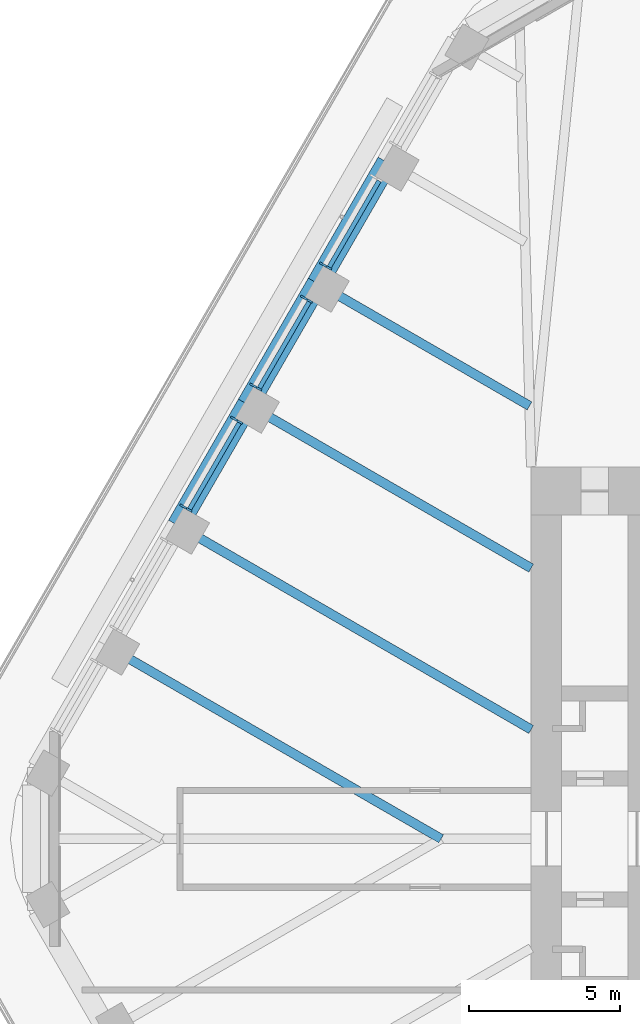
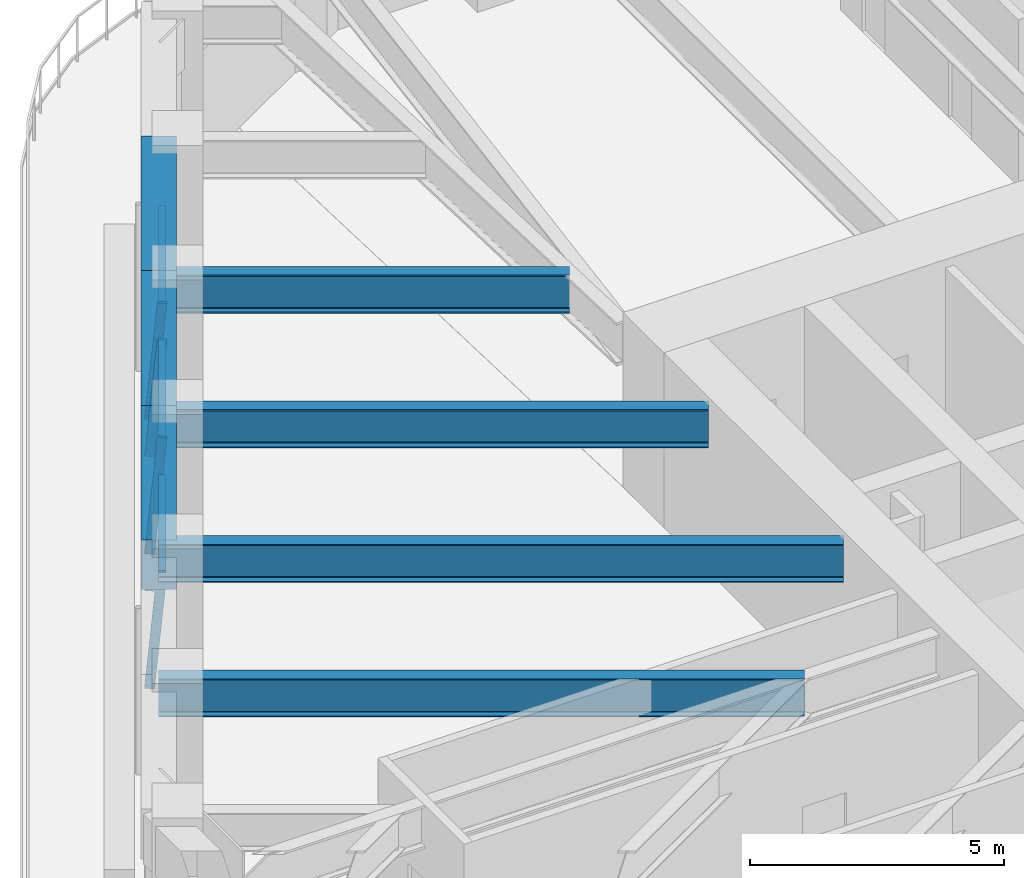
# One storey, part 7 of 20: 8 members, 7 beams, 3 elements without a shape of their own.
"""IFC4 building model written with IfcOpenShell, lengths in metres."""

from ifc_helpers import new_model, si_unit, direction, frame, origin, origin_2d, place, context, subcontext, project, spatial, rectangle, i_section, extrude, material, material_profile, profile_set, type_object, element, aggregate, save


model = new_model("IFC4")

# Units and contexts
model_context = context("Model", 3, precision=1e-05, world=origin(), true_north=direction((0.0, 1.0)))
body_context = subcontext(model_context, "Body", "Model", "MODEL_VIEW")
ifc_project = project(units=[si_unit("LENGTHUNIT", "METRE"), si_unit("AREAUNIT", "SQUARE_METRE"), si_unit("VOLUMEUNIT", "CUBIC_METRE"), si_unit("PLANEANGLEUNIT", "RADIAN"), si_unit("MASSUNIT", "GRAM", prefix="KILO")], contexts=[model_context])

# Site, building, storey
site_placement = place(None, origin())
site = spatial("IfcSite", under=ifc_project, at=site_placement, CompositionType="ELEMENT")
building_placement = place(site_placement, origin())
building = spatial("IfcBuilding", under=site, at=building_placement, Name="Tarfa Lantern Tower", CompositionType="ELEMENT")
storey_placement = place(building_placement, frame((0.0, 0.0, 261.699951171875)))
storey = spatial("IfcBuildingStorey", under=building, at=storey_placement, Name="L59", CompositionType="ELEMENT", Elevation=261.699951171875)

# Curtain wall, member
ifc_material_1 = material(Name="Aluminium framed curtain wall", Category="aluminium")
curtain_wall_type = type_object("IfcCurtainWallType", Name="CW3 CANTED GLAZING HIGH ZONE 2800", PredefinedType="USERDEFINED", material=ifc_material_1)
curtain_wall_1_placement = place(storey_placement, origin())
curtain_wall_1 = element("IfcCurtainWall", 1, at=curtain_wall_1_placement, inside=storey, type_object=curtain_wall_type, Name="CW3 NW L59", ObjectType="CURTAIN WALL", PredefinedType="USERDEFINED")
ifc_material_2 = material(Name="Aluminium mullion", Category="aluminium")
ifc_material_profile_1 = material_profile(ifc_material_2, rectangle(XDim=0.06494140625, YDim=0.199951171875, at=origin_2d()), Name="AL MULLION 65x200")
ifc_profile_set_1 = profile_set([ifc_material_profile_1], Name="Aluminium mullion")
member_type_1 = type_object("IfcMemberType", Name="CWM1 MULLION 65x200", PredefinedType="MULLION", material=ifc_profile_set_1)
member_1_placement = place(storey_placement, frame((-22.402587890625, 18.997802734375, 0.0), z_axis=(0.077032386753, -0.044465143199, 0.996036576854), x_axis=(0.499919672301, 0.866071776036, 0.0)))
member_1 = element("IfcMember", 2, at=member_1_placement, type_object=member_type_1, Name="CW3 mullion 2", PredefinedType="MULLION", context=body_context, shape_type="SweptSolid", body=[
    extrude(rectangle(XDim=0.06494140625, YDim=0.199951171875, at=origin_2d()), origin(), (0.0, 0.0, 1.0), 2.811279296875),
])

# Curtain wall, members
curtain_wall_2_placement = place(storey_placement, origin())
curtain_wall_2 = element("IfcCurtainWall", 3, at=curtain_wall_2_placement, inside=storey, type_object=curtain_wall_type, Name="CW3 NW L59", ObjectType="CURTAIN WALL", PredefinedType="USERDEFINED")
member_2_placement = place(storey_placement, frame((-23.034912109375, 17.90234375, 0.0), z_axis=(0.077032386753, -0.044465143199, 0.996036576854), x_axis=(0.499919672301, 0.866071776036, 0.0)))
member_2 = element("IfcMember", 4, at=member_2_placement, type_object=member_type_1, Name="CW3 mullion 1", PredefinedType="MULLION", context=body_context, shape_type="SweptSolid", body=[
    extrude(rectangle(XDim=0.06494140625, YDim=0.199951171875, at=origin_2d()), origin(), (0.0, 0.0, 1.0), 2.811279296875),
])
member_3_placement = place(storey_placement, frame((-24.7119140625, 14.997802734375, 0.0), z_axis=(0.077032386753, -0.044465143199, 0.996036576854), x_axis=(0.499919672301, 0.866071776036, 0.0)))
member_3 = element("IfcMember", 5, at=member_3_placement, type_object=member_type_1, Name="CW3 mullion 2", PredefinedType="MULLION", context=body_context, shape_type="SweptSolid", body=[
    extrude(rectangle(XDim=0.06494140625, YDim=0.199951171875, at=origin_2d()), origin(), (0.0, 0.0, 1.0), 2.811279296875),
])

curtain_wall_3_placement = place(storey_placement, origin())
curtain_wall_3 = element("IfcCurtainWall", 6, at=curtain_wall_3_placement, inside=storey, type_object=curtain_wall_type, Name="CW3 NW L59", ObjectType="CURTAIN WALL", PredefinedType="USERDEFINED")
member_4_placement = place(storey_placement, frame((-25.344482421875, 13.90234375, 0.0), z_axis=(0.077032386753, -0.044465143199, 0.996036576854), x_axis=(0.499919672301, 0.866071776036, 0.0)))
member_4 = element("IfcMember", 7, at=member_4_placement, type_object=member_type_1, Name="CW3 mullion 1", PredefinedType="MULLION", context=body_context, shape_type="SweptSolid", body=[
    extrude(rectangle(XDim=0.06494140625, YDim=0.199951171875, at=origin_2d()), origin(), (0.0, 0.0, 1.0), 2.811279296875),
])
member_5_placement = place(storey_placement, frame((-27.021240234375, 10.997802734375, 0.0), z_axis=(0.077032386753, -0.044465143199, 0.996036576854), x_axis=(0.499919672301, 0.866071776036, 0.0)))
member_5 = element("IfcMember", 8, at=member_5_placement, type_object=member_type_1, Name="CW3 mullion 2", PredefinedType="MULLION", context=body_context, shape_type="SweptSolid", body=[
    extrude(rectangle(XDim=0.06494140625, YDim=0.199951171875, at=origin_2d()), origin(), (0.0, 0.0, 1.0), 2.811279296875),
])

# Member
ifc_material_3 = material(Name="Aluminium transom", Category="aluminium")
ifc_material_profile_2 = material_profile(ifc_material_3, rectangle(XDim=0.14990234375, YDim=0.06494140625, at=origin_2d()), Name="AL TRANSOM 150x65")
ifc_profile_set_2 = profile_set([ifc_material_profile_2], Name="Aluminium transom")
member_type_2 = type_object("IfcMemberType", Name="CWT1 TRANSOM 150x65", PredefinedType="USERDEFINED", material=ifc_profile_set_2)
member_6_placement = place(storey_placement, frame((-20.52783203125, 21.75048828125, 2.767578125), z_axis=(-0.499979497339, -0.866037240677, 0.0), x_axis=(0.866037240677, -0.499979497339, 0.0)))
member_6 = element("IfcMember", 9, at=member_6_placement, type_object=member_type_2, Name="CW3 transom 1.2", ObjectType="TRANSOM", PredefinedType="USERDEFINED", context=body_context, shape_type="SweptSolid", body=[
    extrude(rectangle(XDim=0.14990234375, YDim=0.06494140625, at=origin_2d()), origin(), (0.0, 0.0, 1.0), 3.288818359375),
])

aggregate(curtain_wall_1, [member_1, member_6])

member_7_placement = place(storey_placement, frame((-22.837158203125, 17.75048828125, 2.767578125), z_axis=(-0.500035172766, -0.866005095826, 0.0), x_axis=(0.866005095826, -0.500035172766, 0.0)))
member_7 = element("IfcMember", 10, at=member_7_placement, type_object=member_type_2, Name="CW3 transom 1.2", ObjectType="TRANSOM", PredefinedType="USERDEFINED", context=body_context, shape_type="SweptSolid", body=[
    extrude(rectangle(XDim=0.14990234375, YDim=0.06494140625, at=origin_2d()), origin(), (0.0, 0.0, 1.0), 3.288818359375),
])

aggregate(curtain_wall_2, [member_2, member_3, member_7])

member_8_placement = place(storey_placement, frame((-25.146728515625, 13.75048828125, 2.767578125), z_axis=(-0.499979497339, -0.866037240677, 0.0), x_axis=(0.866037240677, -0.499979497339, 0.0)))
member_8 = element("IfcMember", 11, at=member_8_placement, type_object=member_type_2, Name="CW3 transom 1.2", ObjectType="TRANSOM", PredefinedType="USERDEFINED", context=body_context, shape_type="SweptSolid", body=[
    extrude(rectangle(XDim=0.14990234375, YDim=0.06494140625, at=origin_2d()), origin(), (0.0, 0.0, 1.0), 3.288818359375),
])

aggregate(curtain_wall_3, [member_4, member_5, member_8])

# Beams
ifc_material_4 = material(Name="Concrete C80/95", Category="concrete")
ifc_material_profile_3 = material_profile(ifc_material_4, rectangle(XDim=0.699951171875, YDim=1.199951171875, at=origin_2d()), Name="RC 700x1200")
ifc_profile_set_3 = profile_set([ifc_material_profile_3], Name="Concrete C80/95")
beam_type_1 = type_object("IfcBeamType", Name="EB3 RC 700x1200", PredefinedType="SPANDREL", material=ifc_profile_set_3)
beam_1_placement = place(storey_placement, frame((-20.25341796875, 22.360107421875, 3.400146484375), z_axis=(-0.499987836815, -0.866032426089, 0.0), x_axis=(0.866032426089, -0.499987836815, 0.0)))
element("IfcBeam", 12, at=beam_1_placement, inside=storey, type_object=beam_type_1, Name="Edge beam NW1", PredefinedType="SPANDREL", context=body_context, shape_type="SweptSolid", body=[
    extrude(rectangle(XDim=0.699951171875, YDim=1.199951171875, at=origin_2d()), origin(), (0.0, 0.0, 1.0), 4.61865234375),
])
beam_2_placement = place(storey_placement, frame((-22.562744140625, 18.360107421875, 3.400146484375), z_axis=(-0.500027479704, -0.866009537788, 0.0), x_axis=(0.866009537788, -0.500027479704, 0.0)))
element("IfcBeam", 13, at=beam_2_placement, inside=storey, type_object=beam_type_1, Name="Edge beam NW2", PredefinedType="SPANDREL", context=body_context, shape_type="SweptSolid", body=[
    extrude(rectangle(XDim=0.699951171875, YDim=1.199951171875, at=origin_2d()), origin(), (0.0, 0.0, 1.0), 4.618896484375),
])
beam_3_placement = place(storey_placement, frame((-24.872314453125, 14.360107421875, 3.400146484375), z_axis=(-0.499987836815, -0.866032426089, 0.0), x_axis=(0.866032426089, -0.499987836815, 0.0)))
element("IfcBeam", 14, at=beam_3_placement, inside=storey, type_object=beam_type_1, Name="Edge beam NW3", PredefinedType="SPANDREL", context=body_context, shape_type="SweptSolid", body=[
    extrude(rectangle(XDim=0.699951171875, YDim=1.199951171875, at=origin_2d()), origin(), (0.0, 0.0, 1.0), 4.61865234375),
])
ifc_material_5 = material(Name="Steel S460M", Category="steel")
ifc_material_profile_4 = material_profile(ifc_material_5, i_section(OverallWidth=0.305419921875, OverallDepth=0.91845703125, WebThickness=0.017333984375, FlangeThickness=0.02783203125, FilletRadius=0.01904296875, at=origin_2d()), Name="UB914x305x253")
ifc_profile_set_4 = profile_set([ifc_material_profile_4], Name="Steel S460M")
beam_type_2 = type_object("IfcBeamType", Name="UB914x305x253", PredefinedType="BEAM", material=ifc_profile_set_4)
beam_4_placement = place(storey_placement, frame((-22.562744140625, 18.360107421875, 3.540771484375), z_axis=(0.866010787764, -0.500025314835, 0.0), x_axis=(0.500025314835, 0.866010787764, 0.0)))
element("IfcBeam", 15, at=beam_4_placement, inside=storey, type_object=beam_type_2, Name="Floor beam NW2", PredefinedType="BEAM", context=body_context, shape_type="SweptSolid", body=[
    extrude(i_section(OverallWidth=0.305419921875, OverallDepth=0.91845703125, WebThickness=0.017333984375, FlangeThickness=0.02783203125, FilletRadius=0.01904296875, at=origin_2d()), origin(), (0.0, 0.0, 1.0), 8.09423828125),
])
beam_5_placement = place(storey_placement, frame((-24.872314453125, 14.360107421875, 3.540771484375), z_axis=(0.8660244219, -0.500001700669, 0.0), x_axis=(0.500001700669, 0.8660244219, 0.0)))
element("IfcBeam", 16, at=beam_5_placement, inside=storey, type_object=beam_type_2, Name="Floor beam NW3", PredefinedType="BEAM", context=body_context, shape_type="SweptSolid", body=[
    extrude(i_section(OverallWidth=0.305419921875, OverallDepth=0.91845703125, WebThickness=0.017333984375, FlangeThickness=0.02783203125, FilletRadius=0.01904296875, at=origin_2d()), origin(), (0.0, 0.0, 1.0), 10.822265625),
])
beam_6_placement = place(storey_placement, frame((-27.181640625, 10.360107421875, 3.540771484375), z_axis=(0.866018002818, -0.500012818631, 0.0), x_axis=(0.500012818631, 0.866018002818, 0.0)))
element("IfcBeam", 17, at=beam_6_placement, inside=storey, type_object=beam_type_2, Name="Floor beam NW4", PredefinedType="BEAM", context=body_context, shape_type="SweptSolid", body=[
    extrude(i_section(OverallWidth=0.305419921875, OverallDepth=0.91845703125, WebThickness=0.017333984375, FlangeThickness=0.02783203125, FilletRadius=0.01904296875, at=origin_2d()), origin(), (0.0, 0.0, 1.0), 13.489013671875),
])
beam_7_placement = place(storey_placement, frame((-29.490966796875, 6.360107421875, 3.540771484375), z_axis=(0.866022258038, -0.500005448553, 0.0), x_axis=(0.500005448553, 0.866022258038, 0.0)))
element("IfcBeam", 18, at=beam_7_placement, inside=storey, type_object=beam_type_2, Name="Floor beam NW5", PredefinedType="BEAM", context=body_context, shape_type="SweptSolid", body=[
    extrude(i_section(OverallWidth=0.305419921875, OverallDepth=0.91845703125, WebThickness=0.017333984375, FlangeThickness=0.02783203125, FilletRadius=0.01904296875, at=origin_2d()), origin(), (0.0, 0.0, 1.0), 12.719970703125),
])

save(model, "model.ifc")
